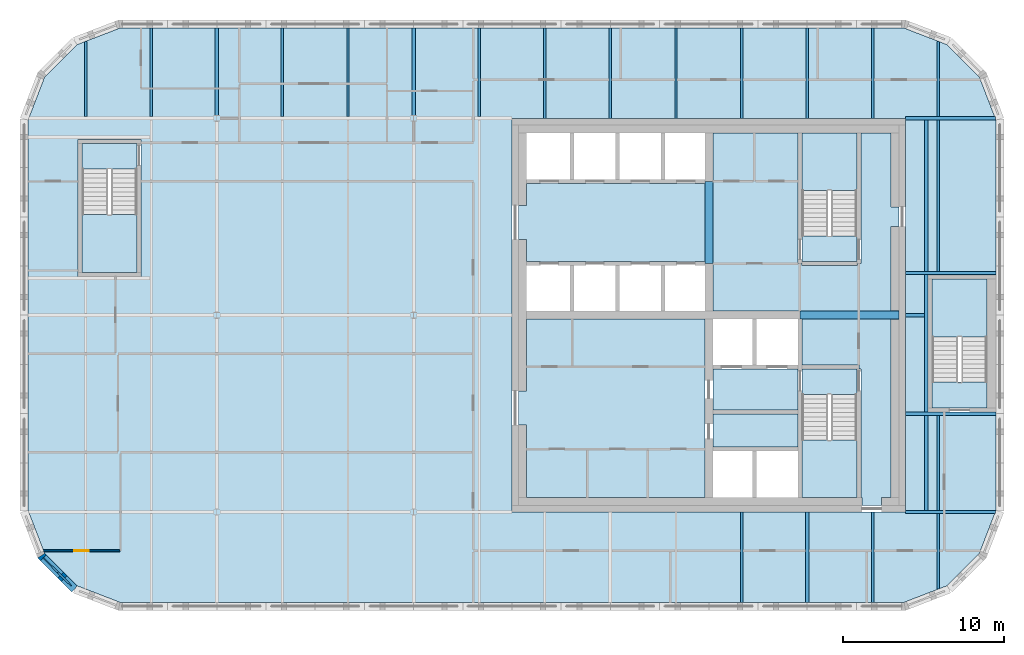
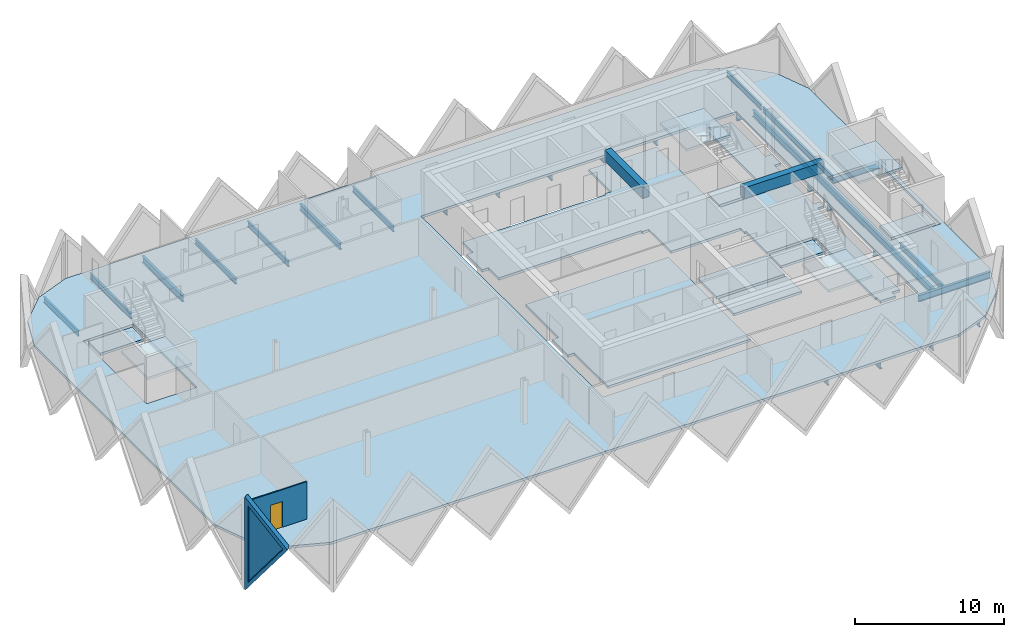
# One storey, part 2 of 10: 28 beams, 13 slabs, 2 walls, 1 door, 1 plate, 2 openings, 4 elements without a shape of their own.
"""IFC4 building model written with IfcOpenShell, lengths in metres."""

from ifc_helpers import new_model, si_unit, direction, frame, frame_2d, origin, origin_2d, place, context, subcontext, project, spatial, polyline, rectangle, i_section, outline, extrude, faceted_brep, source, transform, mapped, material, layer, layer_set, material_profile, profile_set, type_object, element, fill, aggregate, save


model = new_model("IFC4")

# Units and contexts
model_context = context("Model", 3, precision=1e-05, world=origin(), true_north=direction((0.0, 1.0)))
body_context = subcontext(model_context, "Body", "Model", "MODEL_VIEW")
ifc_project = project(units=[si_unit("LENGTHUNIT", "METRE"), si_unit("AREAUNIT", "SQUARE_METRE"), si_unit("VOLUMEUNIT", "CUBIC_METRE"), si_unit("PLANEANGLEUNIT", "RADIAN"), si_unit("MASSUNIT", "GRAM", prefix="KILO")], contexts=[model_context])

# Site, building, storey
site_placement = place(None, origin())
site = spatial("IfcSite", under=ifc_project, at=site_placement, CompositionType="ELEMENT")
building_placement = place(site_placement, origin())
building = spatial("IfcBuilding", under=site, at=building_placement, Name="Tessera Gate Towers", CompositionType="ELEMENT")
storey_placement = place(building_placement, frame((0.0, 0.0, 244.5)))
storey = spatial("IfcBuildingStorey", under=building, at=storey_placement, Name="L61", CompositionType="ELEMENT", Elevation=244.5)

# Beams
ifc_material_1 = material(Name="Concrete C40/50", Category="concrete")
ifc_material_profile_1 = material_profile(ifc_material_1, rectangle(XDim=0.5, YDim=0.89990234375, at=origin_2d()), Name="RC 500x900")
ifc_profile_set_1 = profile_set([ifc_material_profile_1], Name="Concrete C40/50")
beam_type_1 = type_object("IfcBeamType", Name="COUPLING BEAM 500x900 C40/50", PredefinedType="BEAM", material=ifc_profile_set_1)
beam_1_placement = place(storey_placement, frame((48.35009765625, 36.60009765625, 3.14990234375), z_axis=(1.0, 0.0, 0.0), x_axis=(0.0, 1.0, 0.0)))
element("IfcBeam", 1, at=beam_1_placement, inside=storey, type_object=beam_type_1, Name="L61 coupling beam 1", PredefinedType="BEAM", context=body_context, shape_type="SweptSolid", body=[
    extrude(rectangle(XDim=0.5, YDim=0.89990234375, at=origin_2d()), origin(), (0.0, 0.0, 1.0), 6.14990234375),
])
beam_2_placement = place(storey_placement, frame((42.699951171875, 39.800048828125, 3.14990234375), z_axis=(0.0, 1.0, 0.0), x_axis=(-1.0, 0.0, 0.0)))
element("IfcBeam", 2, at=beam_2_placement, inside=storey, type_object=beam_type_1, Name="L61 coupling beam 2", PredefinedType="BEAM", context=body_context, shape_type="SweptSolid", body=[
    extrude(rectangle(XDim=0.5, YDim=0.89990234375, at=origin_2d()), origin(), (0.0, 0.0, 1.0), 5.099853515625),
])
ifc_material_2 = material(Name="Steel 350W", Category="steel")
ifc_material_profile_2 = material_profile(ifc_material_2, i_section(OverallWidth=0.208984375, OverallDepth=0.532958984375, WebThickness=0.01025390625, FlangeThickness=0.015625, at=origin_2d()), Name="W530x92")
ifc_profile_set_2 = profile_set([ifc_material_profile_2], Name="Steel 350W")
beam_type_2 = type_object("IfcBeamType", Name="FLOOR GIRDER W530x92", PredefinedType="BEAM", material=ifc_profile_set_2)
beam_3_placement = place(storey_placement, frame((54.90087890625, 24.39990234375, -0.466552734375), z_axis=(1.0, 0.0, 0.0), x_axis=(0.0, 1.0, 0.0)))
element("IfcBeam", 3, at=beam_3_placement, inside=storey, type_object=beam_type_2, Name="T1-GD-L61-6067", PredefinedType="BEAM", context=body_context, shape_type="SweptSolid", body=[
    extrude(i_section(OverallWidth=0.208984375, OverallDepth=0.532958984375, WebThickness=0.01025390625, FlangeThickness=0.015625, at=origin_2d()), origin(), (0.0, 0.0, 1.0), 5.564208984375),
])
beam_4_placement = place(storey_placement, frame((54.89892578125, 36.60009765625, -0.466552734375), z_axis=(1.0, 0.0, 0.0), x_axis=(0.0, 1.0, 0.0)))
element("IfcBeam", 4, at=beam_4_placement, inside=storey, type_object=beam_type_2, Name="T1-GD-L61-6071", PredefinedType="BEAM", context=body_context, shape_type="SweptSolid", body=[
    extrude(i_section(OverallWidth=0.208984375, OverallDepth=0.532958984375, WebThickness=0.01025390625, FlangeThickness=0.015625, at=origin_2d()), origin(), (0.0, 0.0, 1.0), 1.176513671875),
])
beam_5_placement = place(storey_placement, frame((54.90087890625, 48.800048828125, -0.466552734375), z_axis=(1.0, 0.0, 0.0), x_axis=(0.0, 1.0, 0.0)))
element("IfcBeam", 5, at=beam_5_placement, inside=storey, type_object=beam_type_2, Name="T1-GD-L61-6075", PredefinedType="BEAM", context=body_context, shape_type="SweptSolid", body=[
    extrude(i_section(OverallWidth=0.208984375, OverallDepth=0.532958984375, WebThickness=0.01025390625, FlangeThickness=0.015625, at=origin_2d()), origin(), (0.0, 0.0, 1.0), 5.564208984375),
])
for number, where, z_axis, x_axis, name in (
    (6, (12.199951171875, 48.986572265625, -0.466552734375), (0.0, 1.0, 0.0), (-1.0, 0.0, 0.0), "T1-GD-L61-6079"),
    (7, (24.39990234375, 48.986572265625, -0.466552734375), (0.0, 1.0, 0.0), (-1.0, 0.0, 0.0), "T1-GD-L61-6083"),
):
    element("IfcBeam", number, at=place(storey_placement, frame(where, z_axis=z_axis, x_axis=x_axis)), inside=storey, type_object=beam_type_2, Name=name, PredefinedType="BEAM", context=body_context, shape_type="SweptSolid", body=[
        extrude(i_section(OverallWidth=0.208984375, OverallDepth=0.532958984375, WebThickness=0.01025390625, FlangeThickness=0.015625, at=origin_2d()), origin(), (0.0, 0.0, 1.0), 5.414306640625),
    ])
beam_6_placement = place(storey_placement, frame((48.800048828125, 18.799072265625, -0.466552734375), z_axis=(0.0, 1.0, 0.0), x_axis=(-1.0, 0.0, 0.0)))
element("IfcBeam", 8, at=beam_6_placement, inside=storey, type_object=beam_type_2, Name="T1-GD-L61-6085", PredefinedType="BEAM", context=body_context, shape_type="SweptSolid", body=[
    extrude(i_section(OverallWidth=0.208984375, OverallDepth=0.532958984375, WebThickness=0.01025390625, FlangeThickness=0.015625, at=origin_2d()), origin(), (0.0, 0.0, 1.0), 5.600830078125),
])
for number, where, z_axis, x_axis, name in (
    (9, (54.89892578125, 30.47998046875, -0.466552734375), (1.0, 0.0, 0.0), (0.0, 1.0, 0.0), "T1-GD-L61-6088"),
    (10, (54.89892578125, 39.219970703125, -0.466552734375), (1.0, 0.0, 0.0), (0.0, 1.0, 0.0), "T1-GD-L61-6089"),
):
    element("IfcBeam", number, at=place(storey_placement, frame(where, z_axis=z_axis, x_axis=x_axis)), inside=storey, type_object=beam_type_2, Name=name, PredefinedType="BEAM", context=body_context, shape_type="SweptSolid", body=[
        extrude(i_section(OverallWidth=0.208984375, OverallDepth=0.532958984375, WebThickness=0.01025390625, FlangeThickness=0.015625, at=origin_2d()), origin(), (0.0, 0.0, 1.0), 5.60205078125),
    ])
beam_7_placement = place(storey_placement, frame((56.179931640625, 24.50439453125, -0.466552734375), z_axis=(0.0, 1.0, 0.0), x_axis=(-1.0, 0.0, 0.0)))
element("IfcBeam", 11, at=beam_7_placement, inside=storey, type_object=beam_type_2, Name="T1-GD-L61-6090", PredefinedType="BEAM", context=body_context, shape_type="SweptSolid", body=[
    extrude(i_section(OverallWidth=0.208984375, OverallDepth=0.532958984375, WebThickness=0.01025390625, FlangeThickness=0.015625, at=origin_2d()), origin(), (0.0, 0.0, 1.0), 24.191162109375),
])
ifc_material_3 = material(Name="Steel 350W", Category="steel")
ifc_material_profile_3 = material_profile(ifc_material_3, i_section(OverallWidth=0.153076171875, OverallDepth=0.455078125, WebThickness=0.008056640625, FlangeThickness=0.01318359375, at=origin_2d()), Name="W460x60")
ifc_profile_set_3 = profile_set([ifc_material_profile_3], Name="Steel 350W")
beam_type_3 = type_object("IfcBeamType", Name="FLOOR SECONDARY W460x60", PredefinedType="BEAM", material=ifc_profile_set_3)
beam_8_placement = place(storey_placement, frame((4.066650390625, 48.904541015625, -0.427490234375), z_axis=(0.0, 1.0, 0.0), x_axis=(-1.0, 0.0, 0.0)))
element("IfcBeam", 12, at=beam_8_placement, inside=storey, type_object=beam_type_3, Name="T1-BM-L61-6094", PredefinedType="BEAM", context=body_context, shape_type="SweptSolid", body=[
    extrude(i_section(OverallWidth=0.153076171875, OverallDepth=0.455078125, WebThickness=0.008056640625, FlangeThickness=0.01318359375, at=origin_2d()), origin(), (0.0, 0.0, 1.0), 4.675048828125),
])
for number, where, z_axis, x_axis, name in (
    (13, (8.13330078125, 48.904541015625, -0.427490234375), (0.0, 1.0, 0.0), (-1.0, 0.0, 0.0), "T1-BM-L61-6098"),
    (14, (16.2666015625, 48.904541015625, -0.427490234375), (0.0, 1.0, 0.0), (-1.0, 0.0, 0.0), "T1-BM-L61-6102"),
    (15, (20.333251953125, 48.904541015625, -0.427490234375), (0.0, 1.0, 0.0), (-1.0, 0.0, 0.0), "T1-BM-L61-6106"),
    (16, (28.466796875, 48.904541015625, -0.427490234375), (0.0, 1.0, 0.0), (-1.0, 0.0, 0.0), "T1-BM-L61-6110"),
):
    element("IfcBeam", number, at=place(storey_placement, frame(where, z_axis=z_axis, x_axis=x_axis)), inside=storey, type_object=beam_type_3, Name=name, PredefinedType="BEAM", context=body_context, shape_type="SweptSolid", body=[
        extrude(i_section(OverallWidth=0.153076171875, OverallDepth=0.455078125, WebThickness=0.008056640625, FlangeThickness=0.01318359375, at=origin_2d()), origin(), (0.0, 0.0, 1.0), 5.495361328125),
    ])
for number, where, z_axis, x_axis, name in (
    (17, (32.533203125, 48.800048828125, -0.427490234375), (0.0, 1.0, 0.0), (-1.0, 0.0, 0.0), "T1-BM-L61-6112"),
    (18, (36.60009765625, 48.800048828125, -0.427490234375), (0.0, 1.0, 0.0), (-1.0, 0.0, 0.0), "T1-BM-L61-6113"),
    (19, (40.666748046875, 48.800048828125, -0.427490234375), (0.0, 1.0, 0.0), (-1.0, 0.0, 0.0), "T1-BM-L61-6115"),
    (20, (44.7333984375, 18.800048828125, -0.427490234375), (0.0, 1.0, 0.0), (-1.0, 0.0, 0.0), "T1-BM-L61-6116"),
    (21, (44.7333984375, 48.800048828125, -0.427490234375), (0.0, 1.0, 0.0), (-1.0, 0.0, 0.0), "T1-BM-L61-6117"),
    (22, (48.800048828125, 48.800048828125, -0.427490234375), (0.0, 1.0, 0.0), (-1.0, 0.0, 0.0), "T1-BM-L61-6118"),
    (23, (52.86669921875, 18.800048828125, -0.427490234375), (0.0, 1.0, 0.0), (-1.0, 0.0, 0.0), "T1-BM-L61-6119"),
    (24, (52.86669921875, 48.800048828125, -0.427490234375), (0.0, 1.0, 0.0), (-1.0, 0.0, 0.0), "T1-BM-L61-6120"),
):
    element("IfcBeam", number, at=place(storey_placement, frame(where, z_axis=z_axis, x_axis=x_axis)), inside=storey, type_object=beam_type_3, Name=name, PredefinedType="BEAM", context=body_context, shape_type="SweptSolid", body=[
        extrude(i_section(OverallWidth=0.153076171875, OverallDepth=0.455078125, WebThickness=0.008056640625, FlangeThickness=0.01318359375, at=origin_2d()), origin(), (0.0, 0.0, 1.0), 5.599853515625),
    ])
beam_9_placement = place(storey_placement, frame((56.933349609375, 19.620361328125, -0.427490234375), z_axis=(0.0, 1.0, 0.0), x_axis=(-1.0, 0.0, 0.0)))
element("IfcBeam", 25, at=beam_9_placement, inside=storey, type_object=beam_type_3, Name="T1-BM-L61-6121", PredefinedType="BEAM", context=body_context, shape_type="SweptSolid", body=[
    extrude(i_section(OverallWidth=0.153076171875, OverallDepth=0.455078125, WebThickness=0.008056640625, FlangeThickness=0.01318359375, at=origin_2d()), origin(), (0.0, 0.0, 1.0), 4.675048828125),
])
beam_10_placement = place(storey_placement, frame((56.933349609375, 24.50439453125, -0.427490234375), z_axis=(0.0, 1.0, 0.0), x_axis=(-1.0, 0.0, 0.0)))
element("IfcBeam", 26, at=beam_10_placement, inside=storey, type_object=beam_type_3, Name="T1-BM-L61-6122", PredefinedType="BEAM", context=body_context, shape_type="SweptSolid", body=[
    extrude(i_section(OverallWidth=0.153076171875, OverallDepth=0.455078125, WebThickness=0.008056640625, FlangeThickness=0.01318359375, at=origin_2d()), origin(), (0.0, 0.0, 1.0), 5.87109375),
])
beam_11_placement = place(storey_placement, frame((56.933349609375, 39.324462890625, -0.427490234375), z_axis=(0.0, 1.0, 0.0), x_axis=(-1.0, 0.0, 0.0)))
element("IfcBeam", 27, at=beam_11_placement, inside=storey, type_object=beam_type_3, Name="T1-BM-L61-6123", PredefinedType="BEAM", context=body_context, shape_type="SweptSolid", body=[
    extrude(i_section(OverallWidth=0.153076171875, OverallDepth=0.455078125, WebThickness=0.008056640625, FlangeThickness=0.01318359375, at=origin_2d()), origin(), (0.0, 0.0, 1.0), 9.37109375),
])
beam_12_placement = place(storey_placement, frame((56.933349609375, 48.904541015625, -0.427490234375), z_axis=(0.0, 1.0, 0.0), x_axis=(-1.0, 0.0, 0.0)))
element("IfcBeam", 28, at=beam_12_placement, inside=storey, type_object=beam_type_3, Name="T1-BM-L61-6124", PredefinedType="BEAM", context=body_context, shape_type="SweptSolid", body=[
    extrude(i_section(OverallWidth=0.153076171875, OverallDepth=0.455078125, WebThickness=0.008056640625, FlangeThickness=0.01318359375, at=origin_2d()), origin(), (0.0, 0.0, 1.0), 4.675048828125),
])

# Slabs
ifc_material_4 = material(Name="Concrete C35/45", Category="concrete")
ifc_layer_1 = layer(ifc_material_4, 0.199951171875)
ifc_layer_set_1 = layer_set([ifc_layer_1], Name="COMPOSITE FLOOR 200")
slab_type_1 = type_object("IfcSlabType", Name="COMPOSITE FLOOR 200", PredefinedType="FLOOR", material=ifc_layer_set_1)
slab_1_placement = place(storey_placement, frame((0.0, 0.0, -0.199951171875)))
element("IfcSlab", 29, at=slab_1_placement, inside=storey, type_object=slab_type_1, Name="T1-L61", PredefinedType="FLOOR", context=body_context, shape_type="SweptSolid", body=[
    extrude(outline(polyline([(0.5, 24.4931640625), (1.526123046875, 21.8330078125), (3.533203125, 19.826171875), (6.193115234375, 18.800048828125), (54.806884765625, 18.800048828125), (57.466796875, 19.826171875), (59.473876953125, 21.8330078125), (60.5, 24.4931640625), (60.5, 48.706787109375), (59.473876953125, 51.366943359375), (57.466796875, 53.373779296875), (54.806884765625, 54.39990234375), (6.193115234375, 54.39990234375), (3.533203125, 53.373779296875), (1.526123046875, 51.366943359375), (0.5, 48.706787109375), (0.5, 24.4931640625)]), holes=[polyline([(3.60009765625, 39.0), (3.60009765625, 47.5), (7.5, 47.5), (7.5, 39.0), (3.60009765625, 39.0)]), polyline([(30.5, 24.39990234375), (30.5, 48.800048828125), (54.89990234375, 48.800048828125), (54.89990234375, 24.39990234375), (30.5, 24.39990234375)]), polyline([(56.300048828125, 30.60009765625), (56.300048828125, 39.10009765625), (60.199951171875, 39.10009765625), (60.199951171875, 30.60009765625), (56.300048828125, 30.60009765625)])]), origin(), (0.0, 0.0, 1.0), 0.199951171875),
])
ifc_material_5 = material(Name="Concrete C35/45", Category="concrete")
ifc_layer_2 = layer(ifc_material_5, 0.199951171875)
ifc_layer_set_2 = layer_set([ifc_layer_2], Name="CORE FLOOR SLAB 200")
slab_type_2 = type_object("IfcSlabType", Name="CORE FLOOR SLAB 200", PredefinedType="FLOOR", material=ifc_layer_set_2)
slab_2_placement = place(storey_placement, frame((0.0, 0.0, -0.199951171875)))
element("IfcSlab", 30, at=slab_2_placement, inside=storey, type_object=slab_type_2, Name="L61 core floor slab", PredefinedType="FLOOR", context=body_context, shape_type="SweptSolid", body=[
    extrude(outline(polyline([(42.449951171875, 44.89990234375), (42.449951171875, 44.77490234375), (31.39990234375, 44.77490234375), (31.39990234375, 43.39990234375), (30.89990234375, 43.39990234375), (30.89990234375, 41.300048828125), (31.39990234375, 41.300048828125), (31.39990234375, 39.925048828125), (42.449951171875, 39.925048828125), (42.449951171875, 39.800048828125), (42.949951171875, 39.800048828125), (42.949951171875, 36.85009765625), (48.35009765625, 36.85009765625), (48.35009765625, 36.35009765625), (48.47509765625, 36.35009765625), (48.47509765625, 33.52490234375), (52.0, 33.52490234375), (52.0, 33.27490234375), (52.125, 33.27490234375), (52.125, 25.300048828125), (52.199951171875, 25.300048828125), (52.199951171875, 24.800048828125), (53.39990234375, 24.800048828125), (53.39990234375, 25.300048828125), (54.0, 25.300048828125), (54.0, 36.320068359375), (54.5, 36.320068359375), (54.5, 36.8798828125), (54.0, 36.8798828125), (54.0, 42.10009765625), (54.5, 42.10009765625), (54.5, 43.300048828125), (54.0, 43.300048828125), (54.0, 47.89990234375), (52.125, 47.89990234375), (52.125, 39.800048828125), (51.875, 39.800048828125), (51.875, 39.675048828125), (48.47509765625, 39.675048828125), (48.47509765625, 39.800048828125), (48.22509765625, 39.800048828125), (48.22509765625, 47.89990234375), (42.949951171875, 47.89990234375), (42.949951171875, 44.89990234375), (42.449951171875, 44.89990234375)])), origin(), (0.0, 0.0, 1.0), 0.199951171875),
])
slab_3_placement = place(storey_placement, frame((0.0, 0.0, -0.199951171875)))
element("IfcSlab", 31, at=slab_3_placement, inside=storey, type_object=slab_type_2, Name="L61 core floor slab", PredefinedType="FLOOR", context=body_context, shape_type="SweptSolid", body=[
    extrude(outline(polyline([(31.39990234375, 36.35009765625), (31.39990234375, 31.89990234375), (30.89990234375, 31.89990234375), (30.89990234375, 29.800048828125), (31.39990234375, 29.800048828125), (31.39990234375, 25.300048828125), (42.449951171875, 25.300048828125), (42.449951171875, 36.35009765625), (31.39990234375, 36.35009765625)])), origin(), (0.0, 0.0, 1.0), 0.199951171875),
])
slab_4_placement = place(storey_placement, frame((0.0, 0.0, -0.199951171875)))
element("IfcSlab", 32, at=slab_4_placement, inside=storey, type_object=slab_type_2, Name="L61 core floor slab", PredefinedType="FLOOR", context=body_context, shape_type="SweptSolid", body=[
    extrude(outline(polyline([(42.949951171875, 33.27490234375), (42.949951171875, 30.72509765625), (48.22509765625, 30.72509765625), (48.22509765625, 33.27490234375), (42.949951171875, 33.27490234375)])), origin(), (0.0, 0.0, 1.0), 0.199951171875),
])
slab_5_placement = place(storey_placement, frame((0.0, 0.0, -0.199951171875)))
element("IfcSlab", 33, at=slab_5_placement, inside=storey, type_object=slab_type_2, Name="L61 core floor slab", PredefinedType="FLOOR", context=body_context, shape_type="SweptSolid", body=[
    extrude(outline(polyline([(48.22509765625, 30.47509765625), (42.949951171875, 30.47509765625), (42.949951171875, 28.425048828125), (48.22509765625, 28.425048828125), (48.22509765625, 30.47509765625)])), origin(), (0.0, 0.0, 1.0), 0.199951171875),
])
slab_6_placement = place(storey_placement, frame((0.0, 0.0, -0.199951171875)))
element("IfcSlab", 34, at=slab_6_placement, inside=storey, type_object=slab_type_2, Name="L61 core floor slab", PredefinedType="FLOOR", context=body_context, shape_type="SweptSolid", body=[
    extrude(outline(polyline([(51.875, 31.675048828125), (51.875, 33.27490234375), (48.47509765625, 33.27490234375), (48.47509765625, 31.675048828125), (51.875, 31.675048828125)])), origin(), (0.0, 0.0, 1.0), 0.199951171875),
])
slab_7_placement = place(storey_placement, frame((0.0, 0.0, -0.199951171875)))
element("IfcSlab", 35, at=slab_7_placement, inside=storey, type_object=slab_type_2, Name="L61 core floor slab", PredefinedType="FLOOR", context=body_context, shape_type="SweptSolid", body=[
    extrude(outline(polyline([(48.47509765625, 41.52490234375), (48.47509765625, 39.925048828125), (51.875, 39.925048828125), (51.875, 41.52490234375), (48.47509765625, 41.52490234375)])), origin(), (0.0, 0.0, 1.0), 0.199951171875),
])
slab_8_placement = place(storey_placement, frame((0.0, 0.0, -0.199951171875)))
element("IfcSlab", 36, at=slab_8_placement, inside=storey, type_object=slab_type_2, Name="L61 ST3 floor landing", PredefinedType="FLOOR", context=body_context, shape_type="SweptSolid", body=[
    extrude(outline(polyline([(3.85009765625, 47.25), (3.85009765625, 45.64990234375), (7.25, 45.64990234375), (7.25, 47.25), (3.85009765625, 47.25)])), origin(), (0.0, 0.0, 1.0), 0.199951171875),
])
slab_9_placement = place(storey_placement, frame((0.0, 0.0, -0.199951171875)))
element("IfcSlab", 37, at=slab_9_placement, inside=storey, type_object=slab_type_2, Name="L61 ST5 floor landing", PredefinedType="FLOOR", context=body_context, shape_type="SweptSolid", body=[
    extrude(outline(polyline([(59.949951171875, 30.85009765625), (59.949951171875, 32.449951171875), (56.550048828125, 32.449951171875), (56.550048828125, 30.85009765625), (59.949951171875, 30.85009765625)])), origin(), (0.0, 0.0, 1.0), 0.199951171875),
])

# Stair, slab
ifc_material_6 = material(Name="Concrete C40/50", Category="concrete")
stair_type_1 = type_object("IfcStairType", Name="EXIT STAIR ST1 1600", PredefinedType="HALF_TURN_STAIR", material=ifc_material_6)
stair_1_placement = place(storey_placement, origin())
stair_1 = element("IfcStair", 38, at=stair_1_placement, inside=storey, type_object=stair_type_1, Name="L61 Protected Exit Stair ST1", PredefinedType="HALF_TURN_STAIR")
ifc_material_7 = material(Name="Concrete C40/50", Category="concrete")
ifc_layer_3 = layer(ifc_material_7, 0.199951171875)
ifc_layer_set_3 = layer_set([ifc_layer_3], Name="EXIT STAIR LANDING 200")
slab_type_3 = type_object("IfcSlabType", Name="EXIT STAIR LANDING 200", PredefinedType="LANDING", material=ifc_layer_set_3)
slab_10_placement = place(storey_placement, frame((0.0, 0.0, 1.699951171875)))
slab_10 = element("IfcSlab", 39, at=slab_10_placement, type_object=slab_type_3, Name="ST1 landing 1", PredefinedType="LANDING", context=body_context, shape_type="SweptSolid", body=[
    extrude(outline(polyline([(48.47509765625, 28.875), (48.47509765625, 25.300048828125), (51.875, 25.300048828125), (51.875, 28.875), (48.47509765625, 28.875)])), origin(), (0.0, 0.0, 1.0), 0.199951171875),
])
aggregate(stair_1, [slab_10])

ifc_material_8 = material(Name="Concrete C40/50", Category="concrete")
stair_type_2 = type_object("IfcStairType", Name="EXIT STAIR ST2 1600", PredefinedType="HALF_TURN_STAIR", material=ifc_material_8)
stair_2_placement = place(storey_placement, origin())
stair_2 = element("IfcStair", 40, at=stair_2_placement, inside=storey, type_object=stair_type_2, Name="L61 Protected Exit Stair ST2", PredefinedType="HALF_TURN_STAIR")
slab_11_placement = place(storey_placement, frame((0.0, 0.0, 1.699951171875)))
slab_11 = element("IfcSlab", 41, at=slab_11_placement, type_object=slab_type_3, Name="ST2 landing 1", PredefinedType="LANDING", context=body_context, shape_type="SweptSolid", body=[
    extrude(outline(polyline([(51.875, 44.324951171875), (51.875, 47.89990234375), (48.47509765625, 47.89990234375), (48.47509765625, 44.324951171875), (51.875, 44.324951171875)])), origin(), (0.0, 0.0, 1.0), 0.199951171875),
])
aggregate(stair_2, [slab_11])

ifc_material_9 = material(Name="Concrete C40/50", Category="concrete")
stair_type_3 = type_object("IfcStairType", Name="EXIT STAIR ST3 1600", PredefinedType="HALF_TURN_STAIR", material=ifc_material_9)
stair_3_placement = place(storey_placement, origin())
stair_3 = element("IfcStair", 42, at=stair_3_placement, inside=storey, type_object=stair_type_3, Name="L61 West Exit Stair ST3", PredefinedType="HALF_TURN_STAIR")
slab_12_placement = place(storey_placement, frame((0.0, 0.0, 1.699951171875)))
slab_12 = element("IfcSlab", 43, at=slab_12_placement, type_object=slab_type_3, Name="ST3 landing 1", PredefinedType="LANDING", context=body_context, shape_type="SweptSolid", body=[
    extrude(outline(polyline([(3.85009765625, 42.85009765625), (3.85009765625, 39.25), (7.25, 39.25), (7.25, 42.85009765625), (3.85009765625, 42.85009765625)])), origin(), (0.0, 0.0, 1.0), 0.199951171875),
])
aggregate(stair_3, [slab_12])

ifc_material_10 = material(Name="Concrete C40/50", Category="concrete")
stair_type_4 = type_object("IfcStairType", Name="EXIT STAIR ST5 1600", PredefinedType="HALF_TURN_STAIR", material=ifc_material_10)
stair_4_placement = place(storey_placement, origin())
stair_4 = element("IfcStair", 44, at=stair_4_placement, inside=storey, type_object=stair_type_4, Name="L61 East Exit Stair ST5", PredefinedType="HALF_TURN_STAIR")
slab_13_placement = place(storey_placement, frame((0.0, 0.0, 1.699951171875)))
slab_13 = element("IfcSlab", 45, at=slab_13_placement, type_object=slab_type_3, Name="ST5 landing 1", PredefinedType="LANDING", context=body_context, shape_type="SweptSolid", body=[
    extrude(outline(polyline([(59.949951171875, 35.25), (59.949951171875, 38.85009765625), (56.550048828125, 38.85009765625), (56.550048828125, 35.25), (59.949951171875, 35.25)])), origin(), (0.0, 0.0, 1.0), 0.199951171875),
])
aggregate(stair_4, [slab_13])

# Wall, opening, door
ifc_material_11 = material(Name="Glass", Category="glass")
ifc_layer_4 = layer(ifc_material_11, 0.10009765625)
ifc_layer_set_4 = layer_set([ifc_layer_4], Name="GLAZED PARTITION 100")
wall_type_1 = type_object("IfcWallType", Name="GLAZED PARTITION 100", PredefinedType="PARTITIONING", material=ifc_layer_set_4)
wall_1_placement = place(storey_placement, frame((1.461669921875, 22.0, 0.0), z_axis=(0.0, 0.0, 1.0), x_axis=(1.0, 0.0, 0.0)))
wall_1 = element("IfcWall", 46, at=wall_1_placement, inside=storey, type_object=wall_type_1, Name="T1-L61-PW-004", PredefinedType="PARTITIONING", context=body_context, shape_type="SweptSolid", body=[
    extrude(rectangle(XDim=4.71240234375, YDim=0.10009765625, at=frame_2d((2.356201171875, 0.0))), origin(), (0.0, 0.0, 1.0), 3.06689453125),
])
shared_shape_1 = source(origin(), body_context, "Body", "SweptSolid", [
    extrude(rectangle(XDim=0.89990234375, YDim=2.10009765625, at=frame_2d((0.449951171875, 1.050048828125))), frame((0.0, 0.06005859375, 0.0), z_axis=(0.0, -1.0, 0.0), x_axis=(1.0, 0.0, 0.0)), (0.0, 0.0, 1.0), 0.1201171875),
])
opening_1_placement = place(wall_1_placement, frame((1.89990234375, 0.0, 0.0)))
opening_1 = element("IfcOpeningElement", 47, at=opening_1_placement, cuts=wall_1, Name="Opening D690-A21-06", PredefinedType="OPENING", context=body_context, shape_type="MappedRepresentation", body=[
    mapped(shared_shape_1, transform((0.0, 0.0, 0.0), scale=1.0)),
])
ifc_material_12 = material(Name="Glass in aluminium frame", Category="aluminium")
door_type = type_object("IfcDoorType", Name="GLAZED DOOR 900 NOT RATED", OperationType="NOTDEFINED", PredefinedType="DOOR", material=ifc_material_12)
shared_shape_2 = source(origin(), body_context, "Body", "SweptSolid", [
    extrude(rectangle(XDim=0.89990234375, YDim=2.10009765625, at=frame_2d((0.449951171875, 1.050048828125))), frame((0.0, 0.02490234375, 0.0), z_axis=(0.0, -1.0, 0.0), x_axis=(1.0, 0.0, 0.0)), (0.0, 0.0, 1.0), 0.050048828125),
])
door_placement = place(opening_1_placement, origin())
door = element("IfcDoor", 48, at=door_placement, inside=storey, type_object=door_type, Name="T1-L61-PD-017", OperationType="SINGLE_SWING_LEFT", OverallHeight=2.10009765625, OverallWidth=0.89990234375, PredefinedType="DOOR", context=body_context, shape_type="MappedRepresentation", body=[
    mapped(shared_shape_2, transform((0.0, 0.0, 0.0), scale=1.0)),
])
fill(opening_1, door)

# Wall, opening, plate
ifc_material_13 = material(Name="Precast concrete C60/75 white", Category="concrete")
ifc_layer_5 = layer(ifc_material_13, 0.5)
ifc_layer_set_5 = layer_set([ifc_layer_5], Name="TS3 corner tessera")
wall_type_2 = type_object("IfcWallType", Name="TS3 corner tessera", PredefinedType="SOLIDWALL", material=ifc_layer_set_5)
shared_shape_3 = source(origin(), body_context, "Body", "Brep", [
    faceted_brep([(0.052978515625, -0.25, 0.0), (2.9970703125, -0.25, 3.800048828125), (0.052978515625, -0.25, 7.60009765625), (0.0, -0.25, 7.531982421875), (0.0, -0.25, 0.068115234375), (0.10595703125, 0.25, 7.53173828125), (2.944091796875, 0.25, 3.8681640625), (2.944091796875, 0.25, 3.73193359375), (0.10595703125, 0.25, 0.068359375), (2.9970703125, 0.000244140625, 3.800048828125), (0.052978515625, 0.0, 0.0), (0.052978515625, 0.0, 7.60009765625)], [[[0, 1, 2, 3, 4]], [[5, 6, 7, 8]], [[8, 7, 9, 1, 0, 10]], [[6, 5, 11, 2, 1, 9]], [[3, 2, 11]], [[10, 0, 4]], [[8, 10, 4, 3, 11, 5]], [[9, 7, 6]]]),
])
wall_2_placement = place(storey_placement, frame((1.2744140625, 21.731201171875, -3.800048828125), z_axis=(0.0, 0.0, 1.0), x_axis=(0.707147509625, -0.707066050402, 0.0)))
wall_2 = element("IfcWall", 49, at=wall_2_placement, inside=storey, type_object=wall_type_2, Name="Precast corner tessera T1 TS3-1416", PredefinedType="SOLIDWALL", context=body_context, shape_type="MappedRepresentation", body=[
    mapped(shared_shape_3, transform((0.0, 0.0, 0.0), scale=1.0)),
])
shared_shape_4 = source(origin(), body_context, "Body", "SweptSolid", [
    extrude(outline(polyline([(0.2529296875, 0.666259765625), (2.680908203125, 3.800048828125), (0.2529296875, 6.933837890625), (0.2529296875, 0.666259765625)])), frame((0.0, 0.260009765625, 0.0), z_axis=(0.0, -1.0, 0.0), x_axis=(1.0, 0.0, 0.0)), (0.0, 0.0, 1.0), 0.52001953125),
])
opening_2_placement = place(wall_2_placement, origin())
opening_2 = element("IfcOpeningElement", 50, at=opening_2_placement, cuts=wall_2, Name="Opening T1-PL2-2194", PredefinedType="OPENING", context=body_context, shape_type="MappedRepresentation", body=[
    mapped(shared_shape_4, transform((0.0, 0.0, 0.0), scale=1.0)),
])
ifc_material_14 = material(Name="Low-e laminated glass", Category="glass")
ifc_layer_6 = layer(ifc_material_14, 0.06005859375)
ifc_layer_set_6 = layer_set([ifc_layer_6], Name="PL2 rhombic pane")
plate_type = type_object("IfcPlateType", Name="PL2 rhombic pane", PredefinedType="SHEET", material=ifc_layer_set_6)
shared_shape_5 = source(origin(), body_context, "Body", "SweptSolid", [
    extrude(outline(polyline([(0.2529296875, 0.666259765625), (2.680908203125, 3.800048828125), (0.2529296875, 6.933837890625), (0.2529296875, 0.666259765625)])), frame((0.0, 0.030029296875, 0.0), z_axis=(0.0, -1.0, 0.0), x_axis=(1.0, 0.0, 0.0)), (0.0, 0.0, 1.0), 0.06005859375),
])
plate_placement = place(opening_2_placement, origin())
plate = element("IfcPlate", 51, at=plate_placement, inside=storey, type_object=plate_type, Name="Glass pane T1 PL2-2194", PredefinedType="SHEET", context=body_context, shape_type="MappedRepresentation", body=[
    mapped(shared_shape_5, transform((0.0, 0.0, 0.0), scale=1.0)),
])
fill(opening_2, plate)

save(model, "model.ifc")
